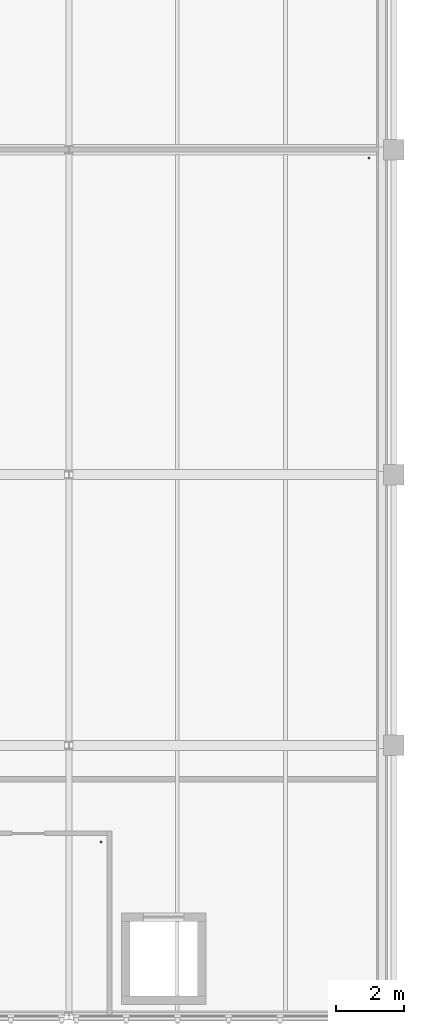
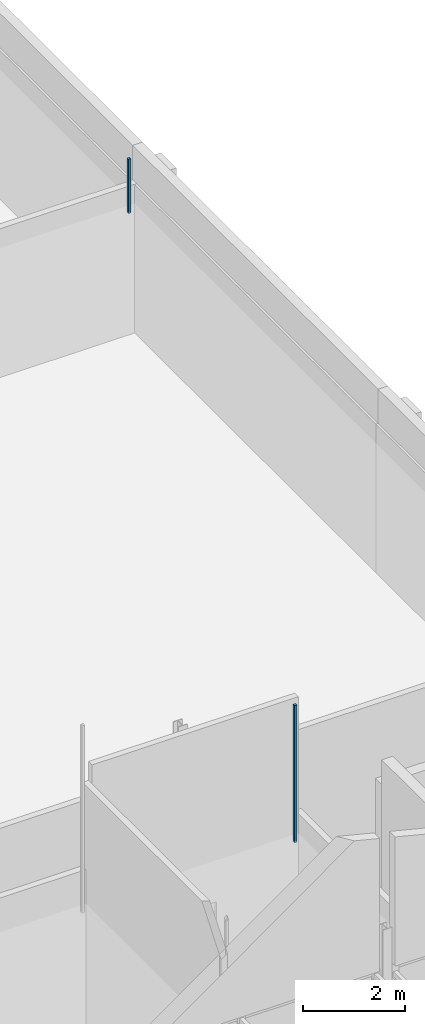
# One storey, part 90 of 110: 2 discrete accessories.
"""IFC4 building model written with IfcOpenShell, lengths in metres."""

from ifc_helpers import new_model, si_unit, direction, frame, origin, place, context, subcontext, project, spatial, polyline, outline, extrude, material, type_object, element, save


model = new_model("IFC4")

# Units and contexts
model_context = context("Model", 3, precision=1e-05, world=origin(), true_north=direction((0.0, 1.0)))
body_context = subcontext(model_context, "Body", "Model", "MODEL_VIEW")
ifc_project = project(units=[si_unit("LENGTHUNIT", "METRE"), si_unit("AREAUNIT", "SQUARE_METRE"), si_unit("VOLUMEUNIT", "CUBIC_METRE"), si_unit("PLANEANGLEUNIT", "RADIAN"), si_unit("MASSUNIT", "GRAM", prefix="KILO")], contexts=[model_context])

# Site, building, storey
site_placement = place(None, origin())
site = spatial("IfcSite", under=ifc_project, at=site_placement, CompositionType="ELEMENT")
building_placement = place(site_placement, origin())
building = spatial("IfcBuilding", under=site, at=building_placement, Name="Dunescarp Central Library", CompositionType="ELEMENT")
storey_placement = place(building_placement, frame((0.0, 0.0, 9.60009765625)))
storey = spatial("IfcBuildingStorey", under=building, at=storey_placement, Name="L02", CompositionType="ELEMENT", Elevation=9.60009765625)

# Discrete accessories
ifc_material = material(Name="Stainless steel Grade 316L", Category="steel")
discrete_accessory_type = type_object("IfcDiscreteAccessoryType", Name="ARC-ACC-BRK", PredefinedType="BRACKET", material=ifc_material)
discrete_accessory_1_placement = place(storey_placement, frame((0.0, 0.0, 3.059814453125)))
element("IfcDiscreteAccessory", 1, at=discrete_accessory_1_placement, inside=storey, type_object=discrete_accessory_type, Name="L02 ceiling hanger CLG-L02-151-H2", PredefinedType="BRACKET", context=body_context, shape_type="SweptSolid", body=[
    extrude(outline(polyline([(159.320068359375, 9.919921875), (159.3798828125, 9.919921875), (159.3798828125, 9.97998046875), (159.320068359375, 9.97998046875), (159.320068359375, 9.919921875)])), origin(), (0.0, 0.0, 1.0), 3.273193359375),
])
discrete_accessory_2_placement = place(storey_placement, frame((0.0, 0.0, 3.059814453125)))
element("IfcDiscreteAccessory", 2, at=discrete_accessory_2_placement, inside=storey, type_object=discrete_accessory_type, Name="L02 ceiling hanger CLG-L02-154-H2", PredefinedType="BRACKET", context=body_context, shape_type="SweptSolid", body=[
    extrude(outline(polyline([(167.22998046875, 30.1201171875), (167.2900390625, 30.1201171875), (167.2900390625, 30.179931640625), (167.22998046875, 30.179931640625), (167.22998046875, 30.1201171875)])), origin(), (0.0, 0.0, 1.0), 1.296142578125),
])

save(model, "model.ifc")
